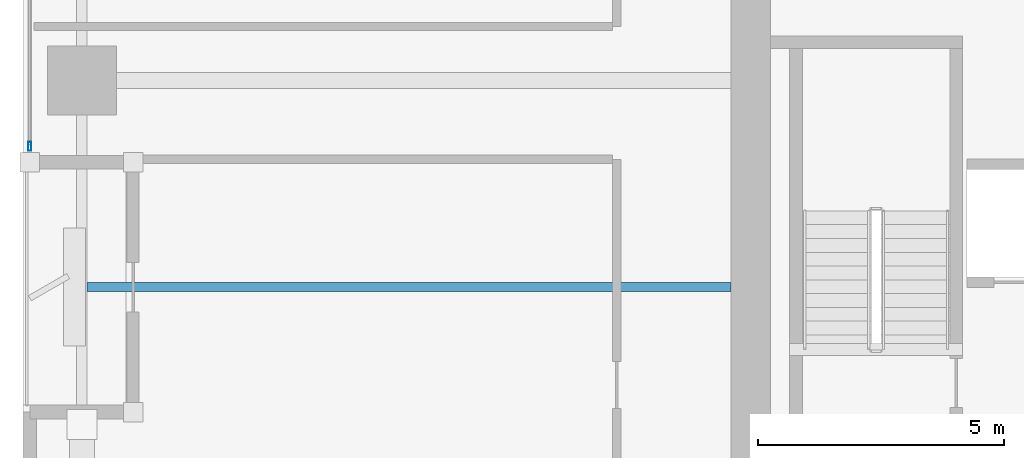
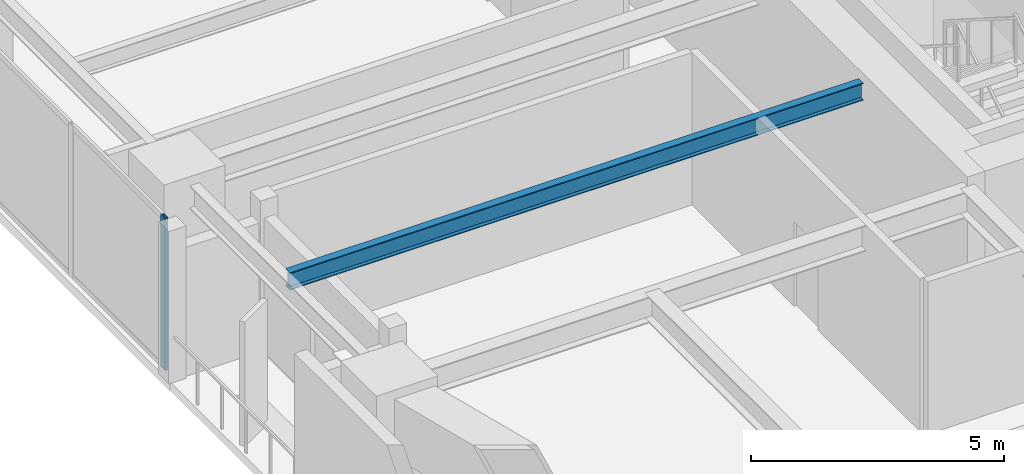
# One storey, part 2 of 30: 1 beam, 1 member, 1 element without a shape of its own.
"""IFC4 building model written with IfcOpenShell, lengths in metres."""

from ifc_helpers import new_model, si_unit, direction, frame, origin, origin_2d, place, context, subcontext, project, spatial, hollow_rectangle, i_section, extrude, material, layer, layer_set, material_profile, profile_set, type_object, element, aggregate, save


model = new_model("IFC4")

# Units and contexts
model_context = context("Model", 3, precision=1e-05, world=origin(), true_north=direction((0.0, 1.0)))
body_context = subcontext(model_context, "Body", "Model", "MODEL_VIEW")
ifc_project = project(units=[si_unit("LENGTHUNIT", "METRE"), si_unit("AREAUNIT", "SQUARE_METRE"), si_unit("VOLUMEUNIT", "CUBIC_METRE"), si_unit("PLANEANGLEUNIT", "RADIAN"), si_unit("MASSUNIT", "GRAM", prefix="KILO")], contexts=[model_context])

# Site, building, storey
site_placement = place(None, origin())
site = spatial("IfcSite", under=ifc_project, at=site_placement, CompositionType="ELEMENT")
building_placement = place(site_placement, origin())
building = spatial("IfcBuilding", under=site, at=building_placement, Name="Kiyonajd Concourse Tower", CompositionType="ELEMENT")
storey_placement = place(building_placement, frame((0.0, 0.0, 154.5)))
storey = spatial("IfcBuildingStorey", under=building, at=storey_placement, Name="L39", CompositionType="ELEMENT", Elevation=154.5)

# Beam
ifc_material_1 = material(Name="Steel ASTM A992 Grade 50", Category="steel")
ifc_material_profile_1 = material_profile(ifc_material_1, i_section(OverallWidth=0.180908203125, OverallDepth=0.4169921875, WebThickness=0.010986328125, FlangeThickness=0.018310546875, at=origin_2d()), Name="W410X85")
ifc_profile_set_1 = profile_set([ifc_material_profile_1], Name="Steel ASTM A992 Grade 50")
beam_type = type_object("IfcBeamType", Name="BM-JST-410", PredefinedType="JOIST", material=ifc_profile_set_1)
beam_placement = place(storey_placement, frame((19.306884765625, 31.800048828125, 3.471435546875), z_axis=(1.0, 0.0, 0.0), x_axis=(0.0, 1.0, 0.0)))
element("IfcBeam", 1, at=beam_placement, inside=storey, type_object=beam_type, Name="L39 West Secondary Floor Joist", PredefinedType="JOIST", context=body_context, shape_type="SweptSolid", body=[
    extrude(i_section(OverallWidth=0.180908203125, OverallDepth=0.4169921875, WebThickness=0.010986328125, FlangeThickness=0.018310546875, at=origin_2d()), origin(), (0.0, 0.0, 1.0), 13.093017578125),
])

# Curtain wall, member
ifc_material_2 = material(Name="Thermally Broken Anodised Aluminium", Category="aluminium")
ifc_layer = layer(ifc_material_2, 0.179931640625)
ifc_layer_set = layer_set([ifc_layer], Name="Thermally Broken Anodised Aluminium")
curtain_wall_type = type_object("IfcCurtainWallType", Name="CW-SYS-03", PredefinedType="NOTDEFINED", material=ifc_layer_set)
curtain_wall_placement = place(storey_placement, origin())
curtain_wall = element("IfcCurtainWall", 2, at=curtain_wall_placement, inside=storey, type_object=curtain_wall_type, Name="L39 Unitised Curtain Wall CW3", PredefinedType="NOTDEFINED")
ifc_material_profile_2 = material_profile(ifc_material_2, hollow_rectangle(XDim=0.06494140625, YDim=0.179931640625, WallThickness=0.00390625, at=origin_2d()), Name="MULL-65x180")
ifc_profile_set_2 = profile_set([ifc_material_profile_2], Name="Thermally Broken Anodised Aluminium")
member_type = type_object("IfcMemberType", Name="MB-CW-MULL1", PredefinedType="MULLION", material=ifc_profile_set_2)
member_placement = place(storey_placement, frame((18.139892578125, 34.66259765625, 0.0), z_axis=(0.0, 0.0, 1.0), x_axis=(-1.0, 0.0, 0.0)))
member = element("IfcMember", 3, at=member_placement, type_object=member_type, Name="CW3 mullion 1", PredefinedType="MULLION", context=body_context, shape_type="SweptSolid", body=[
    extrude(hollow_rectangle(XDim=0.06494140625, YDim=0.179931640625, WallThickness=0.00390625, at=origin_2d()), origin(), (0.0, 0.0, 1.0), 3.679931640625),
])
aggregate(curtain_wall, [member])

save(model, "model.ifc")
